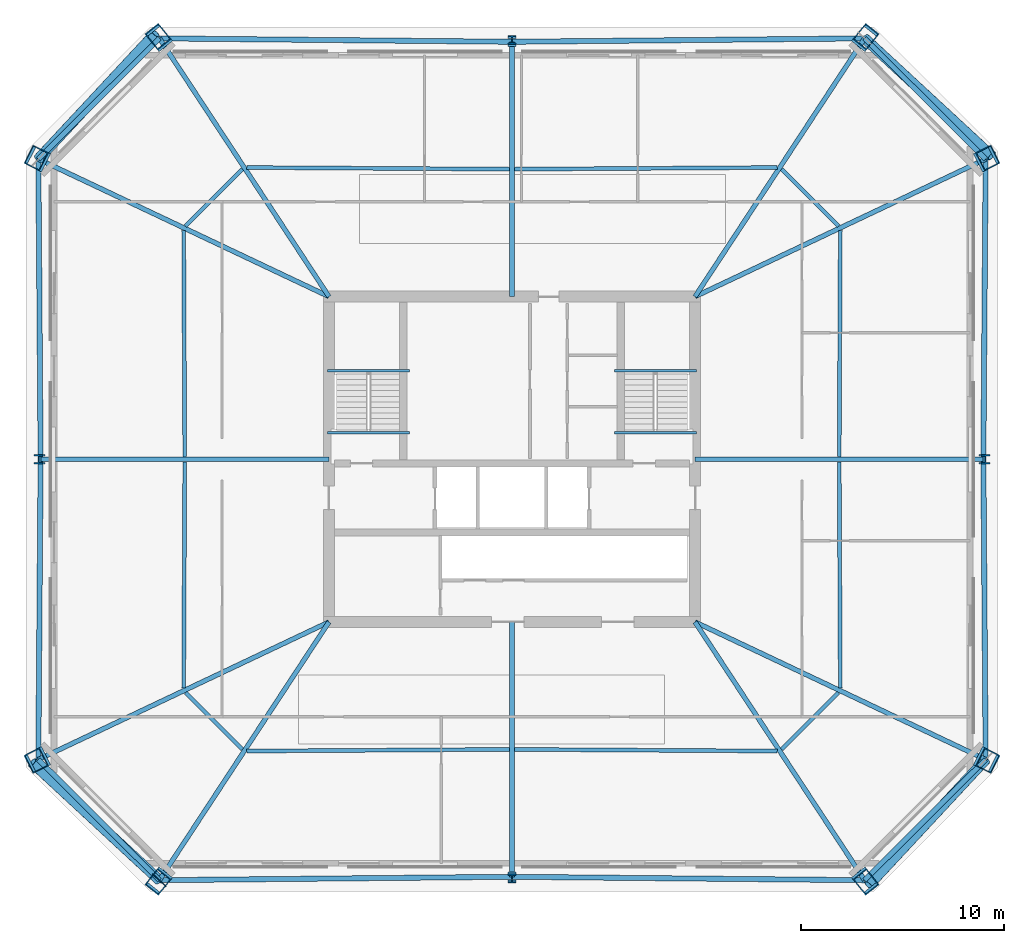
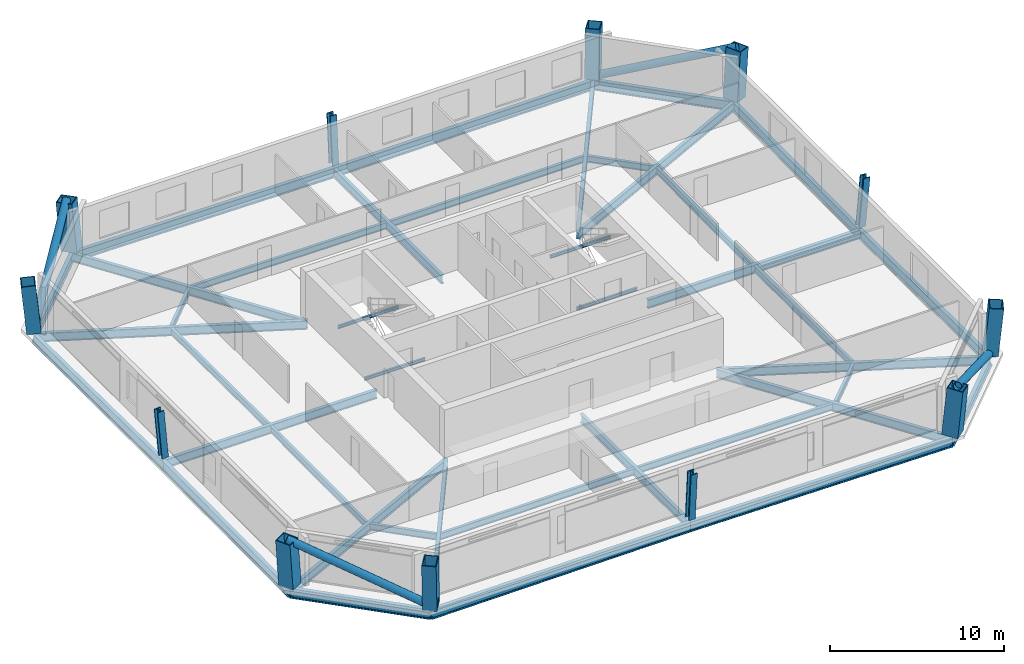
# One storey, part 1 of 7: 40 beams, 12 columns, 4 members, 1 plate.
"""IFC4 building model written with IfcOpenShell, lengths in metres."""

from ifc_helpers import new_model, si_unit, direction, frame, origin, origin_2d, place, context, subcontext, project, spatial, rectangle, hollow_rectangle, hollow_circle, i_section, extrude, material, layer, layer_set, material_profile, profile_set, type_object, element, save


model = new_model("IFC4")

# Units and contexts
model_context = context("Model", 3, precision=1e-05, world=origin(), true_north=direction((0.0, 1.0)))
body_context = subcontext(model_context, "Body", "Model", "MODEL_VIEW")
ifc_project = project(units=[si_unit("LENGTHUNIT", "METRE"), si_unit("AREAUNIT", "SQUARE_METRE"), si_unit("VOLUMEUNIT", "CUBIC_METRE"), si_unit("PLANEANGLEUNIT", "RADIAN"), si_unit("MASSUNIT", "GRAM", prefix="KILO")], contexts=[model_context])

# Site, building, storey
site_placement = place(None, origin())
site = spatial("IfcSite", under=ifc_project, at=site_placement, CompositionType="ELEMENT")
building_placement = place(site_placement, origin())
building = spatial("IfcBuilding", under=site, at=building_placement, Name="Caelvoria Tower", CompositionType="ELEMENT")
storey_placement = place(building_placement, frame((0.0, 0.0, 134.800048828125)))
storey = spatial("IfcBuildingStorey", under=building, at=storey_placement, Name="L35", CompositionType="ELEMENT", Elevation=134.800048828125)

# Columns
ifc_material_1 = material(Name="Structural Steel ASTM A572 Gr.50", Category="steel")
ifc_material_profile_1 = material_profile(ifc_material_1, hollow_rectangle(XDim=0.85009765625, YDim=1.0, WallThickness=0.050048828125, at=origin_2d()), Name="Structural Steel ASTM A572 Gr.50")
ifc_profile_set_1 = profile_set([ifc_material_profile_1], Name="BOX1000X850X50 - Structural Steel ASTM A572 Gr.50")
column_type_1 = type_object("IfcColumnType", Name="Mega Box Column 1000x850x50", PredefinedType="COLUMN", material=ifc_profile_set_1)
for number, where, z_axis, x_axis, name in (
    (1, (28.662353515625, 11.302001953125, 0.0), (-0.059349667623, -0.074114706886, 0.995482107914), (0.780571247111, -0.625066818975, 0.0), "Perimeter Megaframe Column L35-P00"),
    (2, (63.337646484375, 11.302001953125, 0.0), (0.059349667623, -0.074114706886, 0.995482107914), (0.780571247111, 0.625066818975, 0.0), "Perimeter Megaframe Column L35-P02"),
):
    element("IfcColumn", number, at=place(storey_placement, frame(where, z_axis=z_axis, x_axis=x_axis)), inside=storey, type_object=column_type_1, Name=name, PredefinedType="COLUMN", context=body_context, shape_type="SweptSolid", body=[
        extrude(hollow_rectangle(XDim=0.85009765625, YDim=1.0, WallThickness=0.050048828125, at=origin_2d()), origin(), (0.0, 0.0, 1.0), 3.373046875),
    ])
for number, where, z_axis, x_axis, name in (
    (3, (69.2919921875, 17.235595703125, 0.0), (0.088696892927, -0.044710179306, 0.995054702542), (-0.88854975077, 0.447898650878, 0.099328439777), "Perimeter Megaframe Column L35-P03"),
    (4, (69.2919921875, 46.764404296875, 0.0), (0.088696892927, 0.044710179306, 0.995054702542), (-0.88854975077, -0.447898650878, 0.099328439777), "Perimeter Megaframe Column L35-P05"),
):
    element("IfcColumn", number, at=place(storey_placement, frame(where, z_axis=z_axis, x_axis=x_axis)), inside=storey, type_object=column_type_1, Name=name, PredefinedType="COLUMN", context=body_context, shape_type="SweptSolid", body=[
        extrude(hollow_rectangle(XDim=0.85009765625, YDim=1.0, WallThickness=0.050048828125, at=origin_2d()), origin(), (0.0, 0.0, 1.0), 3.37451171875),
    ])
for number, where, z_axis, x_axis, name in (
    (5, (63.337646484375, 52.697998046875, 0.0), (0.059349667623, 0.074114706886, 0.995482107914), (-0.780571247111, 0.625066818975, 0.0), "Perimeter Megaframe Column L35-P06"),
    (6, (28.662353515625, 52.697998046875, 0.0), (-0.059349667623, 0.074114706886, 0.995482107914), (-0.780571247111, -0.625066818975, 0.0), "Perimeter Megaframe Column L35-P08"),
):
    element("IfcColumn", number, at=place(storey_placement, frame(where, z_axis=z_axis, x_axis=x_axis)), inside=storey, type_object=column_type_1, Name=name, PredefinedType="COLUMN", context=body_context, shape_type="SweptSolid", body=[
        extrude(hollow_rectangle(XDim=0.85009765625, YDim=1.0, WallThickness=0.050048828125, at=origin_2d()), origin(), (0.0, 0.0, 1.0), 3.373046875),
    ])
for number, where, z_axis, x_axis, name in (
    (7, (22.7080078125, 46.764404296875, 0.0), (-0.088696892927, 0.044710179306, 0.995054702542), (0.88854975077, -0.447898650878, 0.099328439777), "Perimeter Megaframe Column L35-P09"),
    (8, (22.7080078125, 17.235595703125, 0.0), (-0.088696892927, -0.044710179306, 0.995054702542), (0.88854975077, 0.447898650878, 0.099328439777), "Perimeter Megaframe Column L35-P11"),
):
    element("IfcColumn", number, at=place(storey_placement, frame(where, z_axis=z_axis, x_axis=x_axis)), inside=storey, type_object=column_type_1, Name=name, PredefinedType="COLUMN", context=body_context, shape_type="SweptSolid", body=[
        extrude(hollow_rectangle(XDim=0.85009765625, YDim=1.0, WallThickness=0.050048828125, at=origin_2d()), origin(), (0.0, 0.0, 1.0), 3.37451171875),
    ])
ifc_material_2 = material(Name="Structural Steel ASTM A913 Gr.65", Category="steel")
ifc_material_profile_2 = material_profile(ifc_material_2, i_section(OverallWidth=0.41796875, OverallDepth=0.455078125, WebThickness=0.0419921875, FlangeThickness=0.067626953125, FilletRadius=0.02490234375, at=origin_2d()), Name="Structural Steel ASTM A913 Gr.65")
ifc_profile_set_2 = profile_set([ifc_material_profile_2], Name="W360X551 - Structural Steel ASTM A913 Gr.65")
column_type_2 = type_object("IfcColumnType", Name="Mid Frame Column W360X551", PredefinedType="COLUMN", material=ifc_profile_set_2)
column_1_placement = place(storey_placement, frame((46.0, 11.469970703125, 0.0), z_axis=(0.0, -0.074245582927, 0.997239987874), x_axis=(1.0, 0.0, 0.0)))
element("IfcColumn", 9, at=column_1_placement, inside=storey, type_object=column_type_2, Name="Perimeter Megaframe Column L35-P01", PredefinedType="COLUMN", context=body_context, shape_type="SweptSolid", body=[
    extrude(i_section(OverallWidth=0.41796875, OverallDepth=0.455078125, WebThickness=0.0419921875, FlangeThickness=0.067626953125, FilletRadius=0.02490234375, at=origin_2d()), origin(), (0.0, 0.0, 1.0), 3.3671875),
])
column_2_placement = place(storey_placement, frame((69.179931640625, 32.0, 0.0), z_axis=(0.089001216718, 0.0, 0.996031517284), x_axis=(-0.996031517284, 0.0, 0.089001216718)))
element("IfcColumn", 10, at=column_2_placement, inside=storey, type_object=column_type_2, Name="Perimeter Megaframe Column L35-P04", PredefinedType="COLUMN", context=body_context, shape_type="SweptSolid", body=[
    extrude(i_section(OverallWidth=0.41796875, OverallDepth=0.455078125, WebThickness=0.0419921875, FlangeThickness=0.067626953125, FilletRadius=0.02490234375, at=origin_2d()), origin(), (0.0, 0.0, 1.0), 3.371337890625),
])
column_3_placement = place(storey_placement, frame((46.0, 52.530029296875, 0.0), z_axis=(0.0, 0.074245582927, 0.997239987874), x_axis=(-1.0, 0.0, 0.0)))
element("IfcColumn", 11, at=column_3_placement, inside=storey, type_object=column_type_2, Name="Perimeter Megaframe Column L35-P07", PredefinedType="COLUMN", context=body_context, shape_type="SweptSolid", body=[
    extrude(i_section(OverallWidth=0.41796875, OverallDepth=0.455078125, WebThickness=0.0419921875, FlangeThickness=0.067626953125, FilletRadius=0.02490234375, at=origin_2d()), origin(), (0.0, 0.0, 1.0), 3.3671875),
])
column_4_placement = place(storey_placement, frame((22.820068359375, 32.0, 0.0), z_axis=(-0.089001216718, 0.0, 0.996031517284), x_axis=(0.996031517284, 0.0, 0.089001216718)))
element("IfcColumn", 12, at=column_4_placement, inside=storey, type_object=column_type_2, Name="Perimeter Megaframe Column L35-P10", PredefinedType="COLUMN", context=body_context, shape_type="SweptSolid", body=[
    extrude(i_section(OverallWidth=0.41796875, OverallDepth=0.455078125, WebThickness=0.0419921875, FlangeThickness=0.067626953125, FilletRadius=0.02490234375, at=origin_2d()), origin(), (0.0, 0.0, 1.0), 3.371337890625),
])

# Beams
ifc_material_3 = material(Name="Structural Steel ASTM A992 Gr.50", Category="steel")
ifc_material_profile_3 = material_profile(ifc_material_3, i_section(OverallWidth=0.134033203125, OverallDepth=0.2099609375, WebThickness=0.00634765625, FlangeThickness=0.01025390625, FilletRadius=0.010009765625, at=origin_2d()), Name="Structural Steel ASTM A992 Gr.50")
ifc_profile_set_3 = profile_set([ifc_material_profile_3], Name="W200X31.3 - Structural Steel ASTM A992 Gr.50")
beam_type_1 = type_object("IfcBeamType", Name="Canopy Edge Trim Beam W200X31.3", PredefinedType="BEAM", material=ifc_profile_set_3)
for number, where, z_axis, x_axis, name in (
    (13, (36.929931640625, 36.35009765625, 1.494873046875), (1.0, 0.0, 0.0), (0.0, 1.0, 0.0), "ST-01 Half-Landing Support Beam L35"),
    (14, (36.929931640625, 33.300048828125, -0.304931640625), (1.0, 0.0, 0.0), (0.0, 1.0, 0.0), "ST-01 Floor-Landing Support Beam L35"),
    (15, (51.030029296875, 36.35009765625, 1.494873046875), (1.0, 0.0, 0.0), (0.0, 1.0, 0.0), "ST-02 Half-Landing Support Beam L35"),
    (16, (51.030029296875, 33.300048828125, -0.304931640625), (1.0, 0.0, 0.0), (0.0, 1.0, 0.0), "ST-02 Floor-Landing Support Beam L35"),
):
    element("IfcBeam", number, at=place(storey_placement, frame(where, z_axis=z_axis, x_axis=x_axis)), inside=storey, type_object=beam_type_1, Name=name, PredefinedType="BEAM", context=body_context, shape_type="SweptSolid", body=[
        extrude(i_section(OverallWidth=0.134033203125, OverallDepth=0.2099609375, WebThickness=0.00634765625, FlangeThickness=0.01025390625, FilletRadius=0.010009765625, at=origin_2d()), origin(), (0.0, 0.0, 1.0), 4.0400390625),
    ])

# Members
ifc_material_profile_4 = material_profile(ifc_material_1, hollow_circle(Radius=0.25390625, WallThickness=0.02001953125, at=origin_2d()), Name="Structural Steel ASTM A572 Gr.50")
ifc_profile_set_4 = profile_set([ifc_material_profile_4], Name="CHS508X20 - Structural Steel ASTM A572 Gr.50")
member_type = type_object("IfcMemberType", Name="Mid Perimeter Mega Brace CHS508X20", PredefinedType="BRACE", material=ifc_profile_set_4)
member_1_placement = place(storey_placement, frame((69.2919921875, 17.235595703125, 0.0), z_axis=(-0.632990506421, -0.68023181071, 0.369604792285), x_axis=(0.732070409137, -0.681228974769, 0.0)))
element("IfcMember", 17, at=member_1_placement, inside=storey, type_object=member_type, Name="Perimeter Chamfer Mega Brace L35 SE", PredefinedType="BRACE", context=body_context, shape_type="SweptSolid", body=[
    extrude(hollow_circle(Radius=0.25390625, WallThickness=0.02001953125, at=origin_2d()), origin(), (0.0, 0.0, 1.0), 9.09033203125),
])
member_2_placement = place(storey_placement, frame((63.337646484375, 52.697998046875, 0.0), z_axis=(0.682994433352, -0.631559873058, 0.366947858356), x_axis=(0.678920329207, 0.734211949364, 0.0)))
element("IfcMember", 18, at=member_2_placement, inside=storey, type_object=member_type, Name="Perimeter Chamfer Mega Brace L35 NE", PredefinedType="BRACE", context=body_context, shape_type="SweptSolid", body=[
    extrude(hollow_circle(Radius=0.25390625, WallThickness=0.02001953125, at=origin_2d()), origin(), (0.0, 0.0, 1.0), 9.15625),
])
member_3_placement = place(storey_placement, frame((22.7080078125, 46.764404296875, 0.0), z_axis=(0.632990506421, 0.68023181071, 0.369604792285), x_axis=(-0.732070409137, 0.681228974769, 0.0)))
element("IfcMember", 19, at=member_3_placement, inside=storey, type_object=member_type, Name="Perimeter Chamfer Mega Brace L35 NW", PredefinedType="BRACE", context=body_context, shape_type="SweptSolid", body=[
    extrude(hollow_circle(Radius=0.25390625, WallThickness=0.02001953125, at=origin_2d()), origin(), (0.0, 0.0, 1.0), 9.09033203125),
])
member_4_placement = place(storey_placement, frame((28.662353515625, 11.302001953125, 0.0), z_axis=(-0.682994433352, 0.631559873058, 0.366947858356), x_axis=(-0.678920329207, -0.734211949364, 0.0)))
element("IfcMember", 20, at=member_4_placement, inside=storey, type_object=member_type, Name="Perimeter Chamfer Mega Brace L35 SW", PredefinedType="BRACE", context=body_context, shape_type="SweptSolid", body=[
    extrude(hollow_circle(Radius=0.25390625, WallThickness=0.02001953125, at=origin_2d()), origin(), (0.0, 0.0, 1.0), 9.15625),
])

# Beams
ifc_material_profile_5 = material_profile(ifc_material_3, i_section(OverallWidth=0.25390625, OverallDepth=0.68798828125, WebThickness=0.01318359375, FlangeThickness=0.02099609375, FilletRadius=0.01904296875, at=origin_2d()), Name="Structural Steel ASTM A992 Gr.50")
ifc_profile_set_5 = profile_set([ifc_material_profile_5], Name="W690X152 - Structural Steel ASTM A992 Gr.50")
beam_type_2 = type_object("IfcBeamType", Name="Perimeter Spandrel Girder W690X152", PredefinedType="BEAM", material=ifc_profile_set_5)
for number, where, z_axis, x_axis, name in (
    (21, (28.662353515625, 11.302001953125, -0.583984375), (0.99995307372, 0.009687639438, 0.0), (-0.009687639438, 0.99995307372, 0.0), "Perimeter Spandrel Girder L35-00"),
    (22, (46.0, 11.469970703125, -0.583984375), (0.99995307372, -0.009687639438, 0.0), (0.009687639438, 0.99995307372, 0.0), "Perimeter Spandrel Girder L35-01"),
):
    element("IfcBeam", number, at=place(storey_placement, frame(where, z_axis=z_axis, x_axis=x_axis)), inside=storey, type_object=beam_type_2, Name=name, PredefinedType="BEAM", context=body_context, shape_type="SweptSolid", body=[
        extrude(i_section(OverallWidth=0.25390625, OverallDepth=0.68798828125, WebThickness=0.01318359375, FlangeThickness=0.02099609375, FilletRadius=0.01904296875, at=origin_2d()), origin(), (0.0, 0.0, 1.0), 17.33837890625),
    ])
beam_1_placement = place(storey_placement, frame((63.337646484375, 11.302001953125, -0.583984375), z_axis=(0.708340049319, 0.705871358344, 0.0), x_axis=(-0.705871358344, 0.708340049319, 0.0)))
element("IfcBeam", 23, at=beam_1_placement, inside=storey, type_object=beam_type_2, Name="Perimeter Spandrel Girder L35-02", PredefinedType="BEAM", context=body_context, shape_type="SweptSolid", body=[
    extrude(i_section(OverallWidth=0.25390625, OverallDepth=0.68798828125, WebThickness=0.01318359375, FlangeThickness=0.02099609375, FilletRadius=0.01904296875, at=origin_2d()), origin(), (0.0, 0.0, 1.0), 8.406005859375),
])
for number, where, z_axis, x_axis, name in (
    (24, (69.2919921875, 17.235595703125, -0.583984375), (-0.007589694581, 0.999971197853, 0.0), (-0.999971197853, -0.007589694581, 0.0), "Perimeter Spandrel Girder L35-03"),
    (25, (69.179931640625, 32.0, -0.583984375), (0.007589694581, 0.999971197853, 0.0), (-0.999971197853, 0.007589694581, 0.0), "Perimeter Spandrel Girder L35-04"),
):
    element("IfcBeam", number, at=place(storey_placement, frame(where, z_axis=z_axis, x_axis=x_axis)), inside=storey, type_object=beam_type_2, Name=name, PredefinedType="BEAM", context=body_context, shape_type="SweptSolid", body=[
        extrude(i_section(OverallWidth=0.25390625, OverallDepth=0.68798828125, WebThickness=0.01318359375, FlangeThickness=0.02099609375, FilletRadius=0.01904296875, at=origin_2d()), origin(), (0.0, 0.0, 1.0), 14.764892578125),
    ])
beam_2_placement = place(storey_placement, frame((69.2919921875, 46.764404296875, -0.583984375), z_axis=(-0.708340049319, 0.705871358344, 0.0), x_axis=(-0.705871358344, -0.708340049319, 0.0)))
element("IfcBeam", 26, at=beam_2_placement, inside=storey, type_object=beam_type_2, Name="Perimeter Spandrel Girder L35-05", PredefinedType="BEAM", context=body_context, shape_type="SweptSolid", body=[
    extrude(i_section(OverallWidth=0.25390625, OverallDepth=0.68798828125, WebThickness=0.01318359375, FlangeThickness=0.02099609375, FilletRadius=0.01904296875, at=origin_2d()), origin(), (0.0, 0.0, 1.0), 8.406005859375),
])
for number, where, z_axis, x_axis, name in (
    (27, (63.337646484375, 52.697998046875, -0.583984375), (-0.99995307372, -0.009687639438, 0.0), (0.009687639438, -0.99995307372, 0.0), "Perimeter Spandrel Girder L35-06"),
    (28, (46.0, 52.530029296875, -0.583984375), (-0.99995307372, 0.009687639438, 0.0), (-0.009687639438, -0.99995307372, 0.0), "Perimeter Spandrel Girder L35-07"),
):
    element("IfcBeam", number, at=place(storey_placement, frame(where, z_axis=z_axis, x_axis=x_axis)), inside=storey, type_object=beam_type_2, Name=name, PredefinedType="BEAM", context=body_context, shape_type="SweptSolid", body=[
        extrude(i_section(OverallWidth=0.25390625, OverallDepth=0.68798828125, WebThickness=0.01318359375, FlangeThickness=0.02099609375, FilletRadius=0.01904296875, at=origin_2d()), origin(), (0.0, 0.0, 1.0), 17.33837890625),
    ])
beam_3_placement = place(storey_placement, frame((28.662353515625, 52.697998046875, -0.583984375), z_axis=(-0.708340049319, -0.705871358344, 0.0), x_axis=(0.705871358344, -0.708340049319, 0.0)))
element("IfcBeam", 29, at=beam_3_placement, inside=storey, type_object=beam_type_2, Name="Perimeter Spandrel Girder L35-08", PredefinedType="BEAM", context=body_context, shape_type="SweptSolid", body=[
    extrude(i_section(OverallWidth=0.25390625, OverallDepth=0.68798828125, WebThickness=0.01318359375, FlangeThickness=0.02099609375, FilletRadius=0.01904296875, at=origin_2d()), origin(), (0.0, 0.0, 1.0), 8.406005859375),
])
for number, where, z_axis, x_axis, name in (
    (30, (22.7080078125, 46.764404296875, -0.583984375), (0.007589694581, -0.999971197853, 0.0), (0.999971197853, 0.007589694581, 0.0), "Perimeter Spandrel Girder L35-09"),
    (31, (22.820068359375, 32.0, -0.583984375), (-0.007589694581, -0.999971197853, 0.0), (0.999971197853, -0.007589694581, 0.0), "Perimeter Spandrel Girder L35-10"),
):
    element("IfcBeam", number, at=place(storey_placement, frame(where, z_axis=z_axis, x_axis=x_axis)), inside=storey, type_object=beam_type_2, Name=name, PredefinedType="BEAM", context=body_context, shape_type="SweptSolid", body=[
        extrude(i_section(OverallWidth=0.25390625, OverallDepth=0.68798828125, WebThickness=0.01318359375, FlangeThickness=0.02099609375, FilletRadius=0.01904296875, at=origin_2d()), origin(), (0.0, 0.0, 1.0), 14.764892578125),
    ])
beam_4_placement = place(storey_placement, frame((22.7080078125, 17.235595703125, -0.583984375), z_axis=(0.708340049319, -0.705871358344, 0.0), x_axis=(0.705871358344, 0.708340049319, 0.0)))
element("IfcBeam", 32, at=beam_4_placement, inside=storey, type_object=beam_type_2, Name="Perimeter Spandrel Girder L35-11", PredefinedType="BEAM", context=body_context, shape_type="SweptSolid", body=[
    extrude(i_section(OverallWidth=0.25390625, OverallDepth=0.68798828125, WebThickness=0.01318359375, FlangeThickness=0.02099609375, FilletRadius=0.01904296875, at=origin_2d()), origin(), (0.0, 0.0, 1.0), 8.406005859375),
])
ifc_material_profile_6 = material_profile(ifc_material_3, i_section(OverallWidth=0.22900390625, OverallDepth=0.612060546875, WebThickness=0.011962890625, FlangeThickness=0.01953125, FilletRadius=0.01806640625, at=origin_2d()), Name="Structural Steel ASTM A992 Gr.50")
ifc_profile_set_6 = profile_set([ifc_material_profile_6], Name="W610X125 - Structural Steel ASTM A992 Gr.50")
beam_type_3 = type_object("IfcBeamType", Name="Primary Radial Floor Girder W610X125", PredefinedType="BEAM", material=ifc_profile_set_6)
beam_5_placement = place(storey_placement, frame((37.0, 24.0, -0.546142578125), z_axis=(-0.548867408658, -0.835909425544, 0.0), x_axis=(0.835909425544, -0.548867408658, 0.0)))
element("IfcBeam", 33, at=beam_5_placement, inside=storey, type_object=beam_type_3, Name="Primary Floor Girder L35-00", PredefinedType="BEAM", context=body_context, shape_type="SweptSolid", body=[
    extrude(i_section(OverallWidth=0.22900390625, OverallDepth=0.612060546875, WebThickness=0.011962890625, FlangeThickness=0.01953125, FilletRadius=0.01806640625, at=origin_2d()), origin(), (0.0, 0.0, 1.0), 15.190673828125),
])
beam_6_placement = place(storey_placement, frame((46.0, 24.0, -0.546142578125), z_axis=(0.0, -1.0, 0.0), x_axis=(1.0, 0.0, 0.0)))
element("IfcBeam", 34, at=beam_6_placement, inside=storey, type_object=beam_type_3, Name="Primary Floor Girder L35-01", PredefinedType="BEAM", context=body_context, shape_type="SweptSolid", body=[
    extrude(i_section(OverallWidth=0.22900390625, OverallDepth=0.612060546875, WebThickness=0.011962890625, FlangeThickness=0.01953125, FilletRadius=0.01806640625, at=origin_2d()), origin(), (0.0, 0.0, 1.0), 12.530029296875),
])
beam_7_placement = place(storey_placement, frame((55.0, 24.0, -0.546142578125), z_axis=(0.548867408658, -0.835909425544, 0.0), x_axis=(0.835909425544, 0.548867408658, 0.0)))
element("IfcBeam", 35, at=beam_7_placement, inside=storey, type_object=beam_type_3, Name="Primary Floor Girder L35-02", PredefinedType="BEAM", context=body_context, shape_type="SweptSolid", body=[
    extrude(i_section(OverallWidth=0.22900390625, OverallDepth=0.612060546875, WebThickness=0.011962890625, FlangeThickness=0.01953125, FilletRadius=0.01806640625, at=origin_2d()), origin(), (0.0, 0.0, 1.0), 15.190673828125),
])
beam_8_placement = place(storey_placement, frame((55.0, 24.0, -0.546142578125), z_axis=(0.903872040763, -0.427802914818, 0.0), x_axis=(0.427802914818, 0.903872040763, 0.0)))
element("IfcBeam", 36, at=beam_8_placement, inside=storey, type_object=beam_type_3, Name="Primary Floor Girder L35-03", PredefinedType="BEAM", context=body_context, shape_type="SweptSolid", body=[
    extrude(i_section(OverallWidth=0.22900390625, OverallDepth=0.612060546875, WebThickness=0.011962890625, FlangeThickness=0.01953125, FilletRadius=0.01806640625, at=origin_2d()), origin(), (0.0, 0.0, 1.0), 15.81201171875),
])
beam_9_placement = place(storey_placement, frame((55.0, 32.0, -0.546142578125), z_axis=(1.0, 0.0, 0.0), x_axis=(0.0, 1.0, 0.0)))
element("IfcBeam", 37, at=beam_9_placement, inside=storey, type_object=beam_type_3, Name="Primary Floor Girder L35-04", PredefinedType="BEAM", context=body_context, shape_type="SweptSolid", body=[
    extrude(i_section(OverallWidth=0.22900390625, OverallDepth=0.612060546875, WebThickness=0.011962890625, FlangeThickness=0.01953125, FilletRadius=0.01806640625, at=origin_2d()), origin(), (0.0, 0.0, 1.0), 14.179931640625),
])
beam_10_placement = place(storey_placement, frame((55.0, 40.0, -0.546142578125), z_axis=(0.903872040763, 0.427802914818, 0.0), x_axis=(-0.427802914818, 0.903872040763, 0.0)))
element("IfcBeam", 38, at=beam_10_placement, inside=storey, type_object=beam_type_3, Name="Primary Floor Girder L35-05", PredefinedType="BEAM", context=body_context, shape_type="SweptSolid", body=[
    extrude(i_section(OverallWidth=0.22900390625, OverallDepth=0.612060546875, WebThickness=0.011962890625, FlangeThickness=0.01953125, FilletRadius=0.01806640625, at=origin_2d()), origin(), (0.0, 0.0, 1.0), 15.81201171875),
])
beam_11_placement = place(storey_placement, frame((55.0, 40.0, -0.546142578125), z_axis=(0.548867408658, 0.835909425544, 0.0), x_axis=(-0.835909425544, 0.548867408658, 0.0)))
element("IfcBeam", 39, at=beam_11_placement, inside=storey, type_object=beam_type_3, Name="Primary Floor Girder L35-06", PredefinedType="BEAM", context=body_context, shape_type="SweptSolid", body=[
    extrude(i_section(OverallWidth=0.22900390625, OverallDepth=0.612060546875, WebThickness=0.011962890625, FlangeThickness=0.01953125, FilletRadius=0.01806640625, at=origin_2d()), origin(), (0.0, 0.0, 1.0), 15.190673828125),
])
beam_12_placement = place(storey_placement, frame((46.0, 40.0, -0.546142578125), z_axis=(0.0, 1.0, 0.0), x_axis=(-1.0, 0.0, 0.0)))
element("IfcBeam", 40, at=beam_12_placement, inside=storey, type_object=beam_type_3, Name="Primary Floor Girder L35-07", PredefinedType="BEAM", context=body_context, shape_type="SweptSolid", body=[
    extrude(i_section(OverallWidth=0.22900390625, OverallDepth=0.612060546875, WebThickness=0.011962890625, FlangeThickness=0.01953125, FilletRadius=0.01806640625, at=origin_2d()), origin(), (0.0, 0.0, 1.0), 12.530029296875),
])
beam_13_placement = place(storey_placement, frame((37.0, 40.0, -0.546142578125), z_axis=(-0.548867408658, 0.835909425544, 0.0), x_axis=(-0.835909425544, -0.548867408658, 0.0)))
element("IfcBeam", 41, at=beam_13_placement, inside=storey, type_object=beam_type_3, Name="Primary Floor Girder L35-08", PredefinedType="BEAM", context=body_context, shape_type="SweptSolid", body=[
    extrude(i_section(OverallWidth=0.22900390625, OverallDepth=0.612060546875, WebThickness=0.011962890625, FlangeThickness=0.01953125, FilletRadius=0.01806640625, at=origin_2d()), origin(), (0.0, 0.0, 1.0), 15.190673828125),
])
beam_14_placement = place(storey_placement, frame((37.0, 40.0, -0.546142578125), z_axis=(-0.903872040763, 0.427802914818, 0.0), x_axis=(-0.427802914818, -0.903872040763, 0.0)))
element("IfcBeam", 42, at=beam_14_placement, inside=storey, type_object=beam_type_3, Name="Primary Floor Girder L35-09", PredefinedType="BEAM", context=body_context, shape_type="SweptSolid", body=[
    extrude(i_section(OverallWidth=0.22900390625, OverallDepth=0.612060546875, WebThickness=0.011962890625, FlangeThickness=0.01953125, FilletRadius=0.01806640625, at=origin_2d()), origin(), (0.0, 0.0, 1.0), 15.81201171875),
])
beam_15_placement = place(storey_placement, frame((37.0, 32.0, -0.546142578125), z_axis=(-1.0, 0.0, 0.0), x_axis=(0.0, -1.0, 0.0)))
element("IfcBeam", 43, at=beam_15_placement, inside=storey, type_object=beam_type_3, Name="Primary Floor Girder L35-10", PredefinedType="BEAM", context=body_context, shape_type="SweptSolid", body=[
    extrude(i_section(OverallWidth=0.22900390625, OverallDepth=0.612060546875, WebThickness=0.011962890625, FlangeThickness=0.01953125, FilletRadius=0.01806640625, at=origin_2d()), origin(), (0.0, 0.0, 1.0), 14.179931640625),
])
beam_16_placement = place(storey_placement, frame((37.0, 24.0, -0.546142578125), z_axis=(-0.903872040763, -0.427802914818, 0.0), x_axis=(0.427802914818, -0.903872040763, 0.0)))
element("IfcBeam", 44, at=beam_16_placement, inside=storey, type_object=beam_type_3, Name="Primary Floor Girder L35-11", PredefinedType="BEAM", context=body_context, shape_type="SweptSolid", body=[
    extrude(i_section(OverallWidth=0.22900390625, OverallDepth=0.612060546875, WebThickness=0.011962890625, FlangeThickness=0.01953125, FilletRadius=0.01806640625, at=origin_2d()), origin(), (0.0, 0.0, 1.0), 15.81201171875),
])
ifc_material_profile_7 = material_profile(ifc_material_3, i_section(OverallWidth=0.18994140625, OverallDepth=0.45703125, WebThickness=0.009033203125, FlangeThickness=0.014404296875, FilletRadius=0.014892578125, at=origin_2d()), Name="Structural Steel ASTM A992 Gr.50")
ifc_profile_set_7 = profile_set([ifc_material_profile_7], Name="W460X74 - Structural Steel ASTM A992 Gr.50")
beam_type_4 = type_object("IfcBeamType", Name="Secondary Floor Beam W460X74", PredefinedType="BEAM", material=ifc_profile_set_7)
for number, where, z_axis, x_axis, name in (
    (45, (32.956298828125, 17.65185546875, -0.468505859375), (0.999979720418, 0.006368575371, 0.0), (-0.006368575371, 0.999979720418, 0.0), "Secondary Floor Beam L35-00"),
    (46, (46.125, 17.734130859375, -0.468505859375), (0.999979720418, -0.006368575371, 0.0), (0.006368575371, 0.999979720418, 0.0), "Secondary Floor Beam L35-01"),
):
    element("IfcBeam", number, at=place(storey_placement, frame(where, z_axis=z_axis, x_axis=x_axis)), inside=storey, type_object=beam_type_4, Name=name, PredefinedType="BEAM", context=body_context, shape_type="SweptSolid", body=[
        extrude(i_section(OverallWidth=0.18994140625, OverallDepth=0.45703125, WebThickness=0.009033203125, FlangeThickness=0.014404296875, FilletRadius=0.014892578125, at=origin_2d()), origin(), (0.0, 0.0, 1.0), 12.9189453125),
    ])
beam_17_placement = place(storey_placement, frame((59.25732421875, 17.7392578125, -0.468505859375), z_axis=(0.708340929303, 0.705870475282, 0.0), x_axis=(-0.705870475282, 0.708340929303, 0.0)))
element("IfcBeam", 47, at=beam_17_placement, inside=storey, type_object=beam_type_4, Name="Secondary Floor Beam L35-02", PredefinedType="BEAM", context=body_context, shape_type="SweptSolid", body=[
    extrude(i_section(OverallWidth=0.18994140625, OverallDepth=0.45703125, WebThickness=0.009033203125, FlangeThickness=0.014404296875, FilletRadius=0.014892578125, at=origin_2d()), origin(), (0.0, 0.0, 1.0), 3.952880859375),
])
for number, where, z_axis, x_axis, name in (
    (48, (62.145263671875, 20.742919921875, -0.468505859375), (-0.004912544621, 0.99998793338, 0.0), (-0.99998793338, -0.004912544621, 0.0), "Secondary Floor Beam L35-03"),
    (49, (62.090576171875, 32.125, -0.468505859375), (0.004912544621, 0.99998793338, 0.0), (-0.99998793338, 0.004912544621, 0.0), "Secondary Floor Beam L35-04"),
):
    element("IfcBeam", number, at=place(storey_placement, frame(where, z_axis=z_axis, x_axis=x_axis)), inside=storey, type_object=beam_type_4, Name=name, PredefinedType="BEAM", context=body_context, shape_type="SweptSolid", body=[
        extrude(i_section(OverallWidth=0.18994140625, OverallDepth=0.45703125, WebThickness=0.009033203125, FlangeThickness=0.014404296875, FilletRadius=0.014892578125, at=origin_2d()), origin(), (0.0, 0.0, 1.0), 11.13232421875),
    ])
beam_18_placement = place(storey_placement, frame((62.057373046875, 43.470458984375, -0.468505859375), z_axis=(-0.708340929303, 0.705870475282, 0.0), x_axis=(-0.705870475282, -0.708340929303, 0.0)))
element("IfcBeam", 50, at=beam_18_placement, inside=storey, type_object=beam_type_4, Name="Secondary Floor Beam L35-05", PredefinedType="BEAM", context=body_context, shape_type="SweptSolid", body=[
    extrude(i_section(OverallWidth=0.18994140625, OverallDepth=0.45703125, WebThickness=0.009033203125, FlangeThickness=0.014404296875, FilletRadius=0.014892578125, at=origin_2d()), origin(), (0.0, 0.0, 1.0), 3.952880859375),
])
for number, where, z_axis, x_axis, name in (
    (51, (59.043701171875, 46.34814453125, -0.468505859375), (-0.999979720418, -0.006368575371, 0.0), (0.006368575371, -0.999979720418, 0.0), "Secondary Floor Beam L35-06"),
    (52, (45.875, 46.265869140625, -0.468505859375), (-0.999979720418, 0.006368575371, 0.0), (-0.006368575371, -0.999979720418, 0.0), "Secondary Floor Beam L35-07"),
):
    element("IfcBeam", number, at=place(storey_placement, frame(where, z_axis=z_axis, x_axis=x_axis)), inside=storey, type_object=beam_type_4, Name=name, PredefinedType="BEAM", context=body_context, shape_type="SweptSolid", body=[
        extrude(i_section(OverallWidth=0.18994140625, OverallDepth=0.45703125, WebThickness=0.009033203125, FlangeThickness=0.014404296875, FilletRadius=0.014892578125, at=origin_2d()), origin(), (0.0, 0.0, 1.0), 12.9189453125),
    ])
beam_19_placement = place(storey_placement, frame((32.74267578125, 46.2607421875, -0.468505859375), z_axis=(-0.708340929303, -0.705870475282, 0.0), x_axis=(0.705870475282, -0.708340929303, 0.0)))
element("IfcBeam", 53, at=beam_19_placement, inside=storey, type_object=beam_type_4, Name="Secondary Floor Beam L35-08", PredefinedType="BEAM", context=body_context, shape_type="SweptSolid", body=[
    extrude(i_section(OverallWidth=0.18994140625, OverallDepth=0.45703125, WebThickness=0.009033203125, FlangeThickness=0.014404296875, FilletRadius=0.014892578125, at=origin_2d()), origin(), (0.0, 0.0, 1.0), 3.952880859375),
])
for number, where, z_axis, x_axis, name in (
    (54, (29.854736328125, 43.257080078125, -0.468505859375), (0.004912544621, -0.99998793338, 0.0), (0.99998793338, 0.004912544621, 0.0), "Secondary Floor Beam L35-09"),
    (55, (29.909423828125, 31.875, -0.468505859375), (-0.004912544621, -0.99998793338, 0.0), (0.99998793338, -0.004912544621, 0.0), "Secondary Floor Beam L35-10"),
):
    element("IfcBeam", number, at=place(storey_placement, frame(where, z_axis=z_axis, x_axis=x_axis)), inside=storey, type_object=beam_type_4, Name=name, PredefinedType="BEAM", context=body_context, shape_type="SweptSolid", body=[
        extrude(i_section(OverallWidth=0.18994140625, OverallDepth=0.45703125, WebThickness=0.009033203125, FlangeThickness=0.014404296875, FilletRadius=0.014892578125, at=origin_2d()), origin(), (0.0, 0.0, 1.0), 11.13232421875),
    ])
beam_20_placement = place(storey_placement, frame((29.942626953125, 20.529541015625, -0.468505859375), z_axis=(0.708340929303, -0.705870475282, 0.0), x_axis=(0.705870475282, 0.708340929303, 0.0)))
element("IfcBeam", 56, at=beam_20_placement, inside=storey, type_object=beam_type_4, Name="Secondary Floor Beam L35-11", PredefinedType="BEAM", context=body_context, shape_type="SweptSolid", body=[
    extrude(i_section(OverallWidth=0.18994140625, OverallDepth=0.45703125, WebThickness=0.009033203125, FlangeThickness=0.014404296875, FilletRadius=0.014892578125, at=origin_2d()), origin(), (0.0, 0.0, 1.0), 3.952880859375),
])

# Plate
ifc_layer = layer(ifc_material_1, 0.0400390625, Name="Structural Steel ASTM A572 Gr.50")
ifc_layer_set = layer_set([ifc_layer], Name="Megaframe Node Gusset Plate 900x600x40 - Structural Steel ASTM A572 Gr.50")
plate_type = type_object("IfcPlateType", Name="Megaframe Node Gusset Plate 900x600x40", PredefinedType="USERDEFINED", material=ifc_layer_set)
plate_placement = place(storey_placement, frame((28.662353515625, 11.302001953125, 0.02001953125), z_axis=(0.0, 0.0, 1.0), x_axis=(-0.734202840217, 0.678930180076, 0.0)))
element("IfcPlate", 57, at=plate_placement, inside=storey, type_object=plate_type, Name="Chamfer Mega Brace Gusset L35 SW", ObjectType="GUSSET_PLATE", PredefinedType="USERDEFINED", context=body_context, shape_type="SweptSolid", body=[
    extrude(rectangle(XDim=0.89990234375, YDim=0.0400390625, at=origin_2d()), origin(), (0.0, 0.0, 1.0), 0.60009765625),
])

save(model, "model.ifc")
